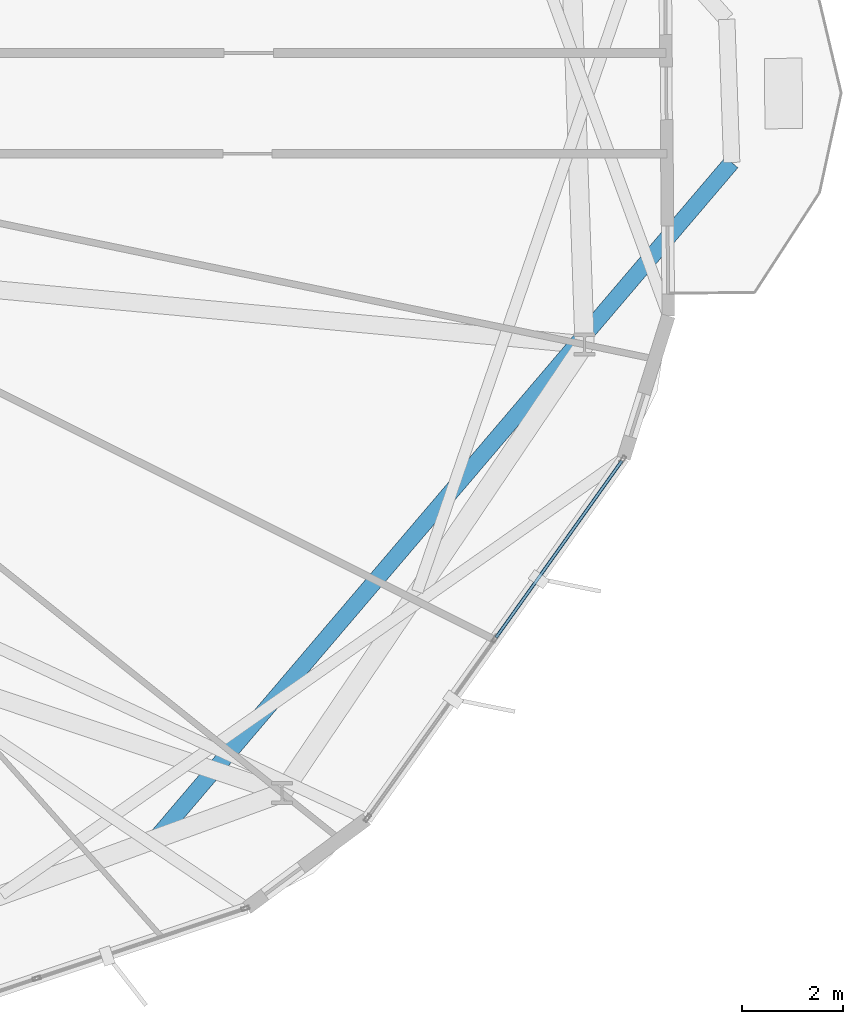
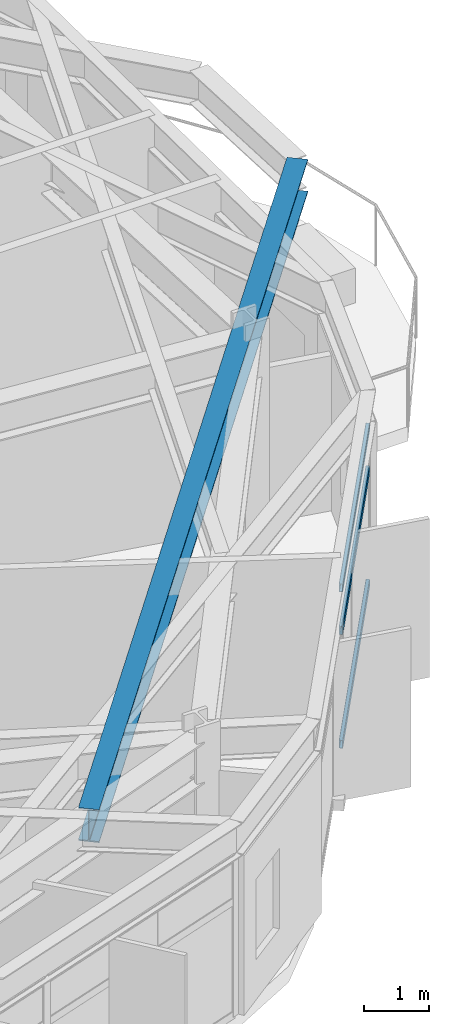
# One storey, part 13 of 27: 3 members, 1 beam, 1 element without a shape of its own.
"""IFC4 building model written with IfcOpenShell, lengths in metres."""

from ifc_helpers import new_model, si_unit, direction, frame, origin, origin_2d, place, context, subcontext, project, spatial, hollow_rectangle, i_section, extrude, material, layer, layer_set, material_profile, profile_set, type_object, element, aggregate, save


model = new_model("IFC4")

# Units and contexts
model_context = context("Model", 3, precision=1e-05, world=origin(), true_north=direction((0.0, 1.0)))
body_context = subcontext(model_context, "Body", "Model", "MODEL_VIEW")
ifc_project = project(units=[si_unit("LENGTHUNIT", "METRE"), si_unit("AREAUNIT", "SQUARE_METRE"), si_unit("VOLUMEUNIT", "CUBIC_METRE"), si_unit("PLANEANGLEUNIT", "RADIAN"), si_unit("MASSUNIT", "GRAM", prefix="KILO")], contexts=[model_context])

# Site, building, storey
site_placement = place(None, origin())
site = spatial("IfcSite", under=ifc_project, at=site_placement, CompositionType="ELEMENT")
building_placement = place(site_placement, origin())
building = spatial("IfcBuilding", under=site, at=building_placement, Name="Soratama Intermodal Tower", CompositionType="ELEMENT")
storey_placement = place(building_placement, frame((0.0, 0.0, 103.0)))
storey = spatial("IfcBuildingStorey", under=building, at=storey_placement, Name="L24", CompositionType="ELEMENT", Elevation=103.0)

# Beam
ifc_material_1 = material(Name="Structural steel ASTM A992 Grade 50", Category="steel")
ifc_material_profile_1 = material_profile(ifc_material_1, i_section(OverallWidth=0.324951171875, OverallDepth=0.615966796875, WebThickness=0.013916015625, FlangeThickness=0.021484375, FilletRadius=0.013916015625, at=origin_2d()), Name="W24X117")
ifc_profile_set_1 = profile_set([ifc_material_profile_1], Name="Structural steel ASTM A992 Grade 50")
beam_type = type_object("IfcBeamType", Name="BM-CANT-W24X117", PredefinedType="BEAM", material=ifc_profile_set_1)
beam_placement = place(storey_placement, frame((53.218017578125, 10.402099609375, 3.2919921875), z_axis=(0.648447137657, 0.761259686089, 0.0), x_axis=(-0.761259686089, 0.648447137657, 0.0)))
element("IfcBeam", 1, at=beam_placement, inside=storey, type_object=beam_type, Name="BM-L24-CANT-1-1", PredefinedType="BEAM", context=body_context, shape_type="SweptSolid", body=[
    extrude(i_section(OverallWidth=0.324951171875, OverallDepth=0.615966796875, WebThickness=0.013916015625, FlangeThickness=0.021484375, FilletRadius=0.013916015625, at=origin_2d()), origin(), (0.0, 0.0, 1.0), 17.631103515625),
])

# Curtain wall, members
ifc_material_2 = material(Name="Double-glazed aluminium curtain wall", Category="aluminium")
ifc_layer = layer(ifc_material_2, 0.159912109375)
ifc_layer_set = layer_set([ifc_layer], Name="Double-glazed aluminium curtain wall")
curtain_wall_type = type_object("IfcCurtainWallType", Name="CW-SYS-3", PredefinedType="NOTDEFINED", material=ifc_layer_set)
curtain_wall_placement = place(storey_placement, origin())
curtain_wall = element("IfcCurtainWall", 2, at=curtain_wall_placement, inside=storey, type_object=curtain_wall_type, Name="L24 Faceted Curtain Wall F09", PredefinedType="NOTDEFINED")
ifc_material_3 = material(Name="Anodised aluminium AA 6063-T6", Category="aluminium")
ifc_material_profile_2 = material_profile(ifc_material_3, hollow_rectangle(XDim=0.06494140625, YDim=0.14990234375, WallThickness=0.0048828125, InnerFilletRadius=0.0048828125, OuterFilletRadius=0.010009765625, at=origin_2d()), Name="CWT150X65X5")
ifc_profile_set_2 = profile_set([ifc_material_profile_2], Name="Anodised aluminium AA 6063-T6")
member_type = type_object("IfcMemberType", Name="TT-CWT-1", PredefinedType="USERDEFINED", material=ifc_profile_set_2)
member_1_placement = place(storey_placement, frame((59.96533203125, 14.3779296875, 0.030029296875), z_axis=(0.580166848529, 0.814497653691, 0.0), x_axis=(-0.814497653691, 0.580166848529, 0.0)))
member_1 = element("IfcMember", 3, at=member_1_placement, type_object=member_type, Name="CW-3 transom 2.1", ObjectType="TRANSOM", PredefinedType="USERDEFINED", context=body_context, shape_type="SweptSolid", body=[
    extrude(hollow_rectangle(XDim=0.06494140625, YDim=0.14990234375, WallThickness=0.0048828125, InnerFilletRadius=0.0048828125, OuterFilletRadius=0.010009765625, at=origin_2d()), origin(), (0.0, 0.0, 1.0), 4.313232421875),
])
member_2_placement = place(storey_placement, frame((59.96533203125, 14.3779296875, 2.14990234375), z_axis=(0.580166848529, 0.814497653691, 0.0), x_axis=(-0.814497653691, 0.580166848529, 0.0)))
member_2 = element("IfcMember", 4, at=member_2_placement, type_object=member_type, Name="CW-3 transom 2.2", ObjectType="TRANSOM", PredefinedType="USERDEFINED", context=body_context, shape_type="SweptSolid", body=[
    extrude(hollow_rectangle(XDim=0.06494140625, YDim=0.14990234375, WallThickness=0.0048828125, InnerFilletRadius=0.0048828125, OuterFilletRadius=0.010009765625, at=origin_2d()), origin(), (0.0, 0.0, 1.0), 4.313232421875),
])
member_3_placement = place(storey_placement, frame((59.96533203125, 14.3779296875, 2.948974609375), z_axis=(0.580166848529, 0.814497653691, 0.0), x_axis=(-0.814497653691, 0.580166848529, 0.0)))
member_3 = element("IfcMember", 5, at=member_3_placement, type_object=member_type, Name="CW-3 transom 2.3", ObjectType="TRANSOM", PredefinedType="USERDEFINED", context=body_context, shape_type="SweptSolid", body=[
    extrude(hollow_rectangle(XDim=0.06494140625, YDim=0.14990234375, WallThickness=0.0048828125, InnerFilletRadius=0.0048828125, OuterFilletRadius=0.010009765625, at=origin_2d()), origin(), (0.0, 0.0, 1.0), 4.313232421875),
])
aggregate(curtain_wall, [member_1, member_2, member_3])

save(model, "model.ifc")
